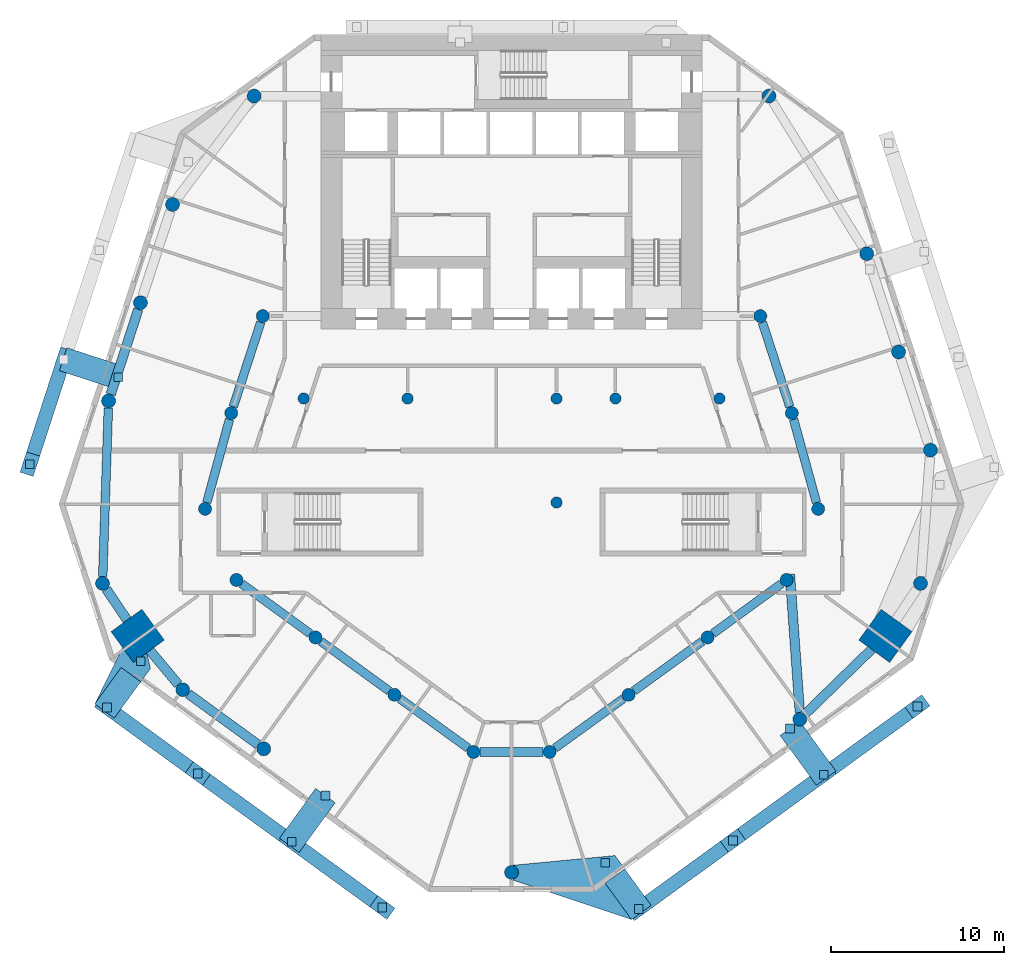
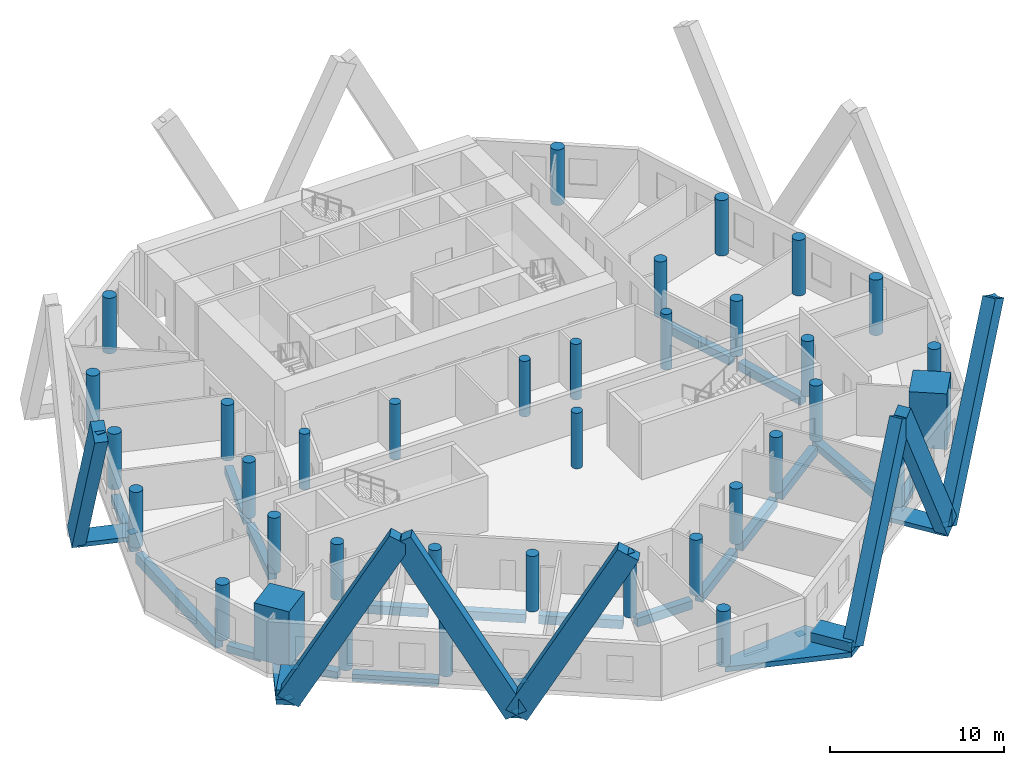
# One storey, part 1 of 10: 36 columns, 18 beams, 14 discrete accessories, 14 members.
"""IFC4 building model written with IfcOpenShell, lengths in metres."""

import ifcopenshell
import ifcopenshell.guid

model = None  # the IFC model being written
_history = None  # IfcOwnerHistory: only IFC2X3 demands one
_inside = {}  # id of a spatial element -> (the spatial element, [elements in it])
_under = {}  # id of a project, library or spatial element -> (it, [spatial elements below it])
_declared = {}  # id of a project -> (the project, [libraries it declares])
_typed = {}  # id of a type object -> (the type object, [elements of that type])
_made_of = {}  # id of a material, layer set ... -> (it, [elements and type objects made of it])


def new_model(schema):
    """Start an empty IFC model of exactly this schema.

    Asked for "IFC4X3", IfcOpenShell would pick the latest addendum, in which some entities
    have other attributes; the version numbers below select the first issue.
    IFC2X3 requires an IfcOwnerHistory on every rooted entity: one is made here for all.
    """
    global model, _history
    if schema == "IFC4X3":
        model = ifcopenshell.file(schema_version=(4, 3, 0, 0))
    else:
        model = ifcopenshell.file(schema=schema)
    _inside.clear()
    _under.clear()
    _declared.clear()
    _typed.clear()
    _made_of.clear()
    _history = None
    if model.schema == "IFC2X3":
        org = make("IfcOrganization", Name="unknown")
        user = make(
            "IfcPersonAndOrganization",
            ThePerson=make("IfcPerson", FamilyName="unknown"),
            TheOrganization=org,
        )
        app = make(
            "IfcApplication",
            ApplicationDeveloper=org,
            Version="unknown",
            ApplicationFullName="unknown",
            ApplicationIdentifier="unknown",
        )
        _history = make(
            "IfcOwnerHistory",
            OwningUser=user,
            OwningApplication=app,
            ChangeAction="ADDED",
            CreationDate=0,
        )
    return model


def make(cls, **values):
    """One entity of the class cls with the attributes given. An attribute that is None is left unset."""
    return model.create_entity(
        cls, **{name: value for name, value in values.items() if value is not None}
    )


def rooted(cls, **values):
    """An entity with a GlobalId (a new one), such as an element, a storey or a relation."""
    return make(cls, GlobalId=ifcopenshell.guid.new(), OwnerHistory=_history, **values)


def si_unit(unit_type, name, prefix=None):
    """IfcSIUnit, for example si_unit("LENGTHUNIT", "METRE", prefix="MILLI")."""
    return make("IfcSIUnit", UnitType=unit_type, Prefix=prefix, Name=name)


def assignment(units):
    """IfcUnitAssignment: the units of a project."""
    return None if units is None else make("IfcUnitAssignment", Units=units)


def point(xyz):
    """IfcCartesianPoint."""
    return None if xyz is None else make("IfcCartesianPoint", Coordinates=xyz)


def direction(xyz):
    """IfcDirection."""
    return None if xyz is None else make("IfcDirection", DirectionRatios=xyz)


def frame(location, z_axis=None, x_axis=None):
    """IfcAxis2Placement3D, a coordinate frame: its origin and axes. An axis left out is left unset."""
    return make(
        "IfcAxis2Placement3D",
        Location=point(location),
        Axis=direction(z_axis),
        RefDirection=direction(x_axis),
    )


def frame_2d(location, x_axis=None):
    """IfcAxis2Placement2D, a coordinate frame in the plane: its origin and x axis."""
    return make(
        "IfcAxis2Placement2D", Location=point(location), RefDirection=direction(x_axis)
    )


def origin():
    """The frame at (0, 0, 0) with its axes left unset."""
    return frame((0.0, 0.0, 0.0))


def origin_2d():
    """The frame at (0, 0) in the plane with its x axis left unset."""
    return frame_2d((0.0, 0.0))


def place(relative_to, where):
    """IfcLocalPlacement: puts the frame where relative to a parent placement (None: the world)."""
    return make(
        "IfcLocalPlacement", PlacementRelTo=relative_to, RelativePlacement=where
    )


def context(
    kind, dimensions, precision=None, world=None, true_north=None, identifier=None
):
    """IfcGeometricRepresentationContext, for example the 3D "Model" context."""
    return make(
        "IfcGeometricRepresentationContext",
        ContextIdentifier=identifier,
        ContextType=kind,
        CoordinateSpaceDimension=dimensions,
        Precision=precision,
        WorldCoordinateSystem=world,
        TrueNorth=true_north,
    )


def subcontext(parent, identifier, kind, view, scale=None):
    """IfcGeometricRepresentationSubContext, for example "Body" below "Model"."""
    return make(
        "IfcGeometricRepresentationSubContext",
        ContextIdentifier=identifier,
        ContextType=kind,
        ParentContext=parent,
        TargetScale=scale,
        TargetView=view,
    )


def project(units=None, contexts=None):
    """IfcProject with its units and contexts."""
    return rooted(
        "IfcProject",
        Name="project",
        RepresentationContexts=contexts,
        UnitsInContext=assignment(units),
    )


def spatial(cls, under=None, at=None, **own):
    """A site, building, storey or space (cls), placed at a placement, below another one or the project."""
    s = rooted(cls, ObjectPlacement=at, **own)
    if under is not None:
        _under.setdefault(under.id(), (under, []))[1].append(s)
    return s


def polyline(points):
    """IfcPolyline through the points."""
    return make("IfcPolyline", Points=[point(p) for p in points])


def profile(cls, at=None, kind="AREA", **sizes):
    """A parametric profile (cls). Its sizes go by their IFC names, for example OverallWidth=200.0."""
    return make(cls, ProfileType=kind, Position=at, **sizes)


def rectangle(**sizes):
    """IfcRectangleProfileDef."""
    return profile("IfcRectangleProfileDef", **sizes)


def circle(**sizes):
    """IfcCircleProfileDef."""
    return profile("IfcCircleProfileDef", **sizes)


def outline(outer, holes=None, kind="AREA"):
    """IfcArbitraryClosedProfileDef: a profile drawn as a closed curve; with holes, ...WithVoids."""
    if holes is None:
        return make("IfcArbitraryClosedProfileDef", ProfileType=kind, OuterCurve=outer)
    return make(
        "IfcArbitraryProfileDefWithVoids",
        ProfileType=kind,
        OuterCurve=outer,
        InnerCurves=holes,
    )


def extrude(swept, where, along, depth):
    """IfcExtrudedAreaSolid: the profile swept, set in the frame where, extruded along a direction by depth."""
    return make(
        "IfcExtrudedAreaSolid",
        SweptArea=swept,
        Position=where,
        ExtrudedDirection=direction(along),
        Depth=depth,
    )


def shape(context_of_items, identifier, shape_type, items):
    """IfcShapeRepresentation: the items that make up one representation, for example the "Body"."""
    return make(
        "IfcShapeRepresentation",
        ContextOfItems=context_of_items,
        RepresentationIdentifier=identifier,
        RepresentationType=shape_type,
        Items=items,
    )


def material(Name=None, Category=None):
    """IfcMaterial."""
    return make("IfcMaterial", Name=Name, Category=Category)


def layer(
    of_material, thickness, ventilated=None, Name=None, Category=None, Priority=None
):
    """IfcMaterialLayer: one layer of a wall or slab, of a material (None: an air gap)."""
    return make(
        "IfcMaterialLayer",
        Material=of_material,
        LayerThickness=thickness,
        IsVentilated=ventilated,
        Name=Name,
        Category=Category,
        Priority=Priority,
    )


def layer_set(layers, Name=None):
    """IfcMaterialLayerSet."""
    return make("IfcMaterialLayerSet", MaterialLayers=layers, LayerSetName=Name)


def material_profile(
    of_material, cross_section, Name=None, Category=None, Priority=None
):
    """IfcMaterialProfile: a cross section and its material."""
    return make(
        "IfcMaterialProfile",
        Name=Name,
        Material=of_material,
        Profile=cross_section,
        Priority=Priority,
        Category=Category,
    )


def profile_set(profiles, Name=None, composite=None):
    """IfcMaterialProfileSet."""
    return make(
        "IfcMaterialProfileSet",
        Name=Name,
        MaterialProfiles=profiles,
        CompositeProfile=composite,
    )


def made_of(thing, what):
    """Note that an element or type object is made of a material, layer set ...; save() writes the relation."""
    if what is not None:
        _made_of.setdefault(what.id(), (what, []))[1].append(thing)
    return thing


def type_object(cls, material=None, **own):
    """A type object (cls), such as IfcWallType, which elements share."""
    return made_of(rooted(cls, **own), material)


def element(
    cls,
    number,
    at=None,
    inside=None,
    cuts=None,
    type_object=None,
    material=None,
    context=None,
    identifier="Body",
    shape_type=None,
    held_by="IfcProductDefinitionShape",
    body=None,
    shapes=None,
    **own,
):
    """One element of the class cls, such as IfcWall. Its Tag is "e" and its number.

    at: its placement. inside: the storey or other place that contains it. cuts: it is an
    opening in that element (IfcRelVoidsElement). A single representation is given by context,
    identifier, shape_type and body (its items); several are given by shapes. held_by: the class
    of the entity that holds the representations. save() writes the other relations.
    """
    e = rooted(cls, Tag="e%d" % number, ObjectPlacement=at, **own)
    if body is not None:
        shapes = [shape(context, identifier, shape_type, body)]
    if shapes is not None:
        e.Representation = make(held_by, Representations=shapes)
    if inside is not None:
        _inside.setdefault(inside.id(), (inside, []))[1].append(e)
    if cuts is not None:
        rooted(
            "IfcRelVoidsElement", RelatingBuildingElement=cuts, RelatedOpeningElement=e
        )
    if type_object is not None:
        _typed.setdefault(type_object.id(), (type_object, []))[1].append(e)
    return made_of(e, material)


def aggregate(whole, parts):
    """IfcRelAggregates: a whole, such as a stair, and the parts it consists of."""
    return rooted("IfcRelAggregates", RelatingObject=whole, RelatedObjects=parts)


def save(model, path):
    """Write the relations noted so far, then the file.

    IfcRelAggregates (storeys below a building ...), IfcRelContainedInSpatialStructure (elements
    in a storey), IfcRelDefinesByType, IfcRelAssociatesMaterial and IfcRelDeclares: one each for
    every whole, place, type object, material and project.
    """
    for whole, parts in _under.values():
        aggregate(whole, parts)
    for where, things in _inside.values():
        rooted(
            "IfcRelContainedInSpatialStructure",
            RelatedElements=things,
            RelatingStructure=where,
        )
    for kind, things in _typed.values():
        rooted("IfcRelDefinesByType", RelatedObjects=things, RelatingType=kind)
    for what, things in _made_of.values():
        rooted("IfcRelAssociatesMaterial", RelatedObjects=things, RelatingMaterial=what)
    for by, libraries in _declared.values():
        rooted("IfcRelDeclares", RelatingContext=by, RelatedDefinitions=libraries)
    model.write(path)


model = new_model("IFC4")

# Units and contexts
model_context = context("Model", 3, precision=1e-05, world=origin(), true_north=direction((0.0, 1.0)))
body_context = subcontext(model_context, "Body", "Model", "MODEL_VIEW")
ifc_project = project(units=[si_unit("LENGTHUNIT", "METRE"), si_unit("AREAUNIT", "SQUARE_METRE"), si_unit("VOLUMEUNIT", "CUBIC_METRE"), si_unit("PLANEANGLEUNIT", "RADIAN"), si_unit("MASSUNIT", "GRAM", prefix="KILO")], contexts=[model_context])

# Site, building, storey
site_placement = place(None, origin())
site = spatial("IfcSite", under=ifc_project, at=site_placement, CompositionType="ELEMENT")
building_placement = place(site_placement, origin())
building = spatial("IfcBuilding", under=site, at=building_placement, Name="White Candle Pilgrim Tower", CompositionType="ELEMENT")
storey_placement = place(building_placement, frame((0.0, 0.0, 66.300048828125)))
storey = spatial("IfcBuildingStorey", under=building, at=storey_placement, Name="L13", CompositionType="ELEMENT", Elevation=66.300048828125)

# Columns
ifc_material_1 = material(Name="Concrete C80/95", Category="concrete")
ifc_material_profile_1 = material_profile(ifc_material_1, circle(Radius=0.324951171875, at=origin_2d()), Name="RC-COL D650")
ifc_profile_set_1 = profile_set([ifc_material_profile_1], Name="Concrete C80/95")
column_type_1 = type_object("IfcColumnType", Name="Interior column RC-COL D650 C80/95", PredefinedType="COLUMN", material=ifc_profile_set_1)
for number, where, z_axis, x_axis, name in (
    (1, (58.0, 67.0, 0.0), (0.0, 0.0, 1.0), (1.0, 0.0, 0.0), "L13 column I01"),
    (2, (64.0, 67.0, 0.0), (0.0, 0.0, 1.0), (1.0, 0.0, 0.0), "L13 column I02"),
    (3, (72.60009765625, 61.0, 0.0), (0.0, 0.0, 1.0), (1.0, 0.0, 0.0), "L13 column I03"),
    (4, (72.60009765625, 67.0, 0.0), (0.0, 0.0, 1.0), (1.0, 0.0, 0.0), "L13 column I04"),
    (5, (76.0, 67.0, 0.0), (0.0, 0.0, 1.0), (1.0, 0.0, 0.0), "L13 column I05"),
    (6, (82.0, 67.0, 0.0), (0.0, 0.0, 1.0), (1.0, 0.0, 0.0), "L13 column I06"),
):
    element("IfcColumn", number, at=place(storey_placement, frame(where, z_axis=z_axis, x_axis=x_axis)), inside=storey, type_object=column_type_1, Name=name, PredefinedType="COLUMN", context=body_context, shape_type="SweptSolid", body=[
        extrude(circle(Radius=0.324951171875, at=origin_2d()), origin(), (0.0, 0.0, 1.0), 3.89990234375),
    ])
ifc_material_profile_2 = material_profile(ifc_material_1, rectangle(XDim=2.199951171875, YDim=2.199951171875, at=origin_2d()), Name="RC 2200x2200")
ifc_profile_set_2 = profile_set([ifc_material_profile_2], Name="Concrete C80/95")
column_type_2 = type_object("IfcColumnType", Name="Mega column RC 2200x2200 C80/95", PredefinedType="COLUMN", material=ifc_profile_set_2)
for number, where, z_axis, x_axis, name in (
    (7, (48.419921875, 53.300048828125, 0.0), (0.0, 0.0, 1.0), (-0.809016994375, -0.587785252292, 0.0), "L13 mega column T02"),
    (8, (91.580078125, 53.300048828125, 0.0), (0.0, 0.0, 1.0), (0.809016994375, -0.587785252292, 0.0), "L13 mega column T07"),
):
    element("IfcColumn", number, at=place(storey_placement, frame(where, z_axis=z_axis, x_axis=x_axis)), inside=storey, type_object=column_type_2, Name=name, PredefinedType="COLUMN", context=body_context, shape_type="SweptSolid", body=[
        extrude(rectangle(XDim=2.199951171875, YDim=2.199951171875, at=origin_2d()), origin(), (0.0, 0.0, 1.0), 3.89990234375),
    ])
ifc_material_profile_3 = material_profile(ifc_material_1, circle(Radius=0.39990234375, at=origin_2d()), Name="RC-COL D800")
ifc_profile_set_3 = profile_set([ifc_material_profile_3], Name="Concrete C80/95")
column_type_3 = type_object("IfcColumnType", Name="Perimeter column RC-COL D800 C80/95", PredefinedType="COLUMN", material=ifc_profile_set_3)
for number, where, z_axis, x_axis, name in (
    (9, (46.389892578125, 56.330078125, 0.0), (0.0, 0.0, 1.0), (1.0, 0.0, 0.0), "L13 column T01"),
    (10, (51.02001953125, 50.18994140625, 0.0), (0.0, 0.0, 1.0), (1.0, 0.0, 0.0), "L13 column T03"),
    (11, (55.699951171875, 46.780029296875, 0.0), (0.0, 0.0, 1.0), (1.0, 0.0, 0.0), "L13 column T04"),
    (12, (70.0, 39.64990234375, 0.0), (0.0, 0.0, 1.0), (1.0, 0.0, 0.0), "L13 column T05"),
    (13, (86.639892578125, 48.489990234375, 0.0), (0.0, 0.0, 1.0), (1.0, 0.0, 0.0), "L13 column T06"),
    (14, (93.610107421875, 56.330078125, 0.0), (0.0, 0.0, 1.0), (1.0, 0.0, 0.0), "L13 column T08"),
    (15, (94.179931640625, 64.02001953125, 0.0), (0.0, 0.0, 1.0), (1.0, 0.0, 0.0), "L13 column T09"),
    (16, (92.340087890625, 69.68994140625, 0.0), (0.0, 0.0, 1.0), (1.0, 0.0, 0.0), "L13 column T10"),
    (17, (90.5, 75.360107421875, 0.0), (0.0, 0.0, 1.0), (1.0, 0.0, 0.0), "L13 column T11"),
    (18, (84.860107421875, 84.4599609375, 0.0), (0.0, 0.0, 1.0), (1.0, 0.0, 0.0), "L13 column T12"),
    (19, (55.139892578125, 84.4599609375, 0.0), (0.0, 0.0, 1.0), (1.0, 0.0, 0.0), "L13 column T13"),
    (20, (50.429931640625, 78.199951171875, 0.0), (0.0, 0.0, 1.0), (1.0, 0.0, 0.0), "L13 column T14"),
    (21, (48.580078125, 72.530029296875, 0.0), (0.0, 0.0, 1.0), (1.0, 0.0, 0.0), "L13 column T15"),
    (22, (46.739990234375, 66.860107421875, 0.0), (0.0, 0.0, 1.0), (1.0, 0.0, 0.0), "L13 column T16"),
):
    element("IfcColumn", number, at=place(storey_placement, frame(where, z_axis=z_axis, x_axis=x_axis)), inside=storey, type_object=column_type_3, Name=name, PredefinedType="COLUMN", context=body_context, shape_type="SweptSolid", body=[
        extrude(circle(Radius=0.39990234375, at=origin_2d()), origin(), (0.0, 0.0, 1.0), 3.89990234375),
    ])
ifc_material_profile_4 = material_profile(ifc_material_1, circle(Radius=0.375, at=origin_2d()), Name="RC-COL D750")
ifc_profile_set_4 = profile_set([ifc_material_profile_4], Name="Concrete C80/95")
column_type_4 = type_object("IfcColumnType", Name="Ring column RC-COL D750 C80/95", PredefinedType="COLUMN", material=ifc_profile_set_4)
for number, where, z_axis, x_axis, name in (
    (23, (52.31005859375, 60.6298828125, 0.0), (0.0, 0.0, 1.0), (1.0, 0.0, 0.0), "L13 column R01"),
    (24, (54.1201171875, 56.530029296875, 0.0), (0.0, 0.0, 1.0), (1.0, 0.0, 0.0), "L13 column R02"),
    (25, (58.679931640625, 53.2099609375, 0.0), (0.0, 0.0, 1.0), (1.0, 0.0, 0.0), "L13 column R03"),
    (26, (63.239990234375, 49.89990234375, 0.0), (0.0, 0.0, 1.0), (1.0, 0.0, 0.0), "L13 column R04"),
    (27, (67.800048828125, 46.60009765625, 0.0), (0.0, 0.0, 1.0), (1.0, 0.0, 0.0), "L13 column R05"),
    (28, (72.199951171875, 46.60009765625, 0.0), (0.0, 0.0, 1.0), (1.0, 0.0, 0.0), "L13 column R06"),
    (29, (76.760009765625, 49.89990234375, 0.0), (0.0, 0.0, 1.0), (1.0, 0.0, 0.0), "L13 column R07"),
    (30, (81.320068359375, 53.2099609375, 0.0), (0.0, 0.0, 1.0), (1.0, 0.0, 0.0), "L13 column R08"),
    (31, (85.8798828125, 56.530029296875, 0.0), (0.0, 0.0, 1.0), (1.0, 0.0, 0.0), "L13 column R09"),
    (32, (87.699951171875, 60.6298828125, 0.0), (0.0, 0.0, 1.0), (1.0, 0.0, 0.0), "L13 column R10"),
    (33, (86.179931640625, 66.159912109375, 0.0), (0.0, 0.0, 1.0), (1.0, 0.0, 0.0), "L13 column R11"),
    (34, (84.360107421875, 71.760009765625, 0.0), (0.0, 0.0, 1.0), (1.0, 0.0, 0.0), "L13 column R12"),
    (35, (55.639892578125, 71.760009765625, 0.0), (0.0, 0.0, 1.0), (1.0, 0.0, 0.0), "L13 column R13"),
    (36, (53.820068359375, 66.159912109375, 0.0), (0.0, 0.0, 1.0), (1.0, 0.0, 0.0), "L13 column R14"),
):
    element("IfcColumn", number, at=place(storey_placement, frame(where, z_axis=z_axis, x_axis=x_axis)), inside=storey, type_object=column_type_4, Name=name, PredefinedType="COLUMN", context=body_context, shape_type="SweptSolid", body=[
        extrude(circle(Radius=0.375, at=origin_2d()), origin(), (0.0, 0.0, 1.0), 3.89990234375),
    ])

# Member
ifc_material_2 = material(Name="Concrete C80/95, white", Category="concrete")
ifc_material_profile_5 = material_profile(ifc_material_2, rectangle(XDim=0.800048828125, YDim=1.39990234375, at=origin_2d()), Name="RC-DG 800x1400")
ifc_profile_set_5 = profile_set([ifc_material_profile_5], Name="Concrete C80/95, white")
member_type_1 = type_object("IfcMemberType", Name="Exoskeleton diagonal RC-DG 800x1400 C80/95", PredefinedType="BRACE", material=ifc_profile_set_5)
member_1_placement = place(storey_placement, frame((77.345947265625, 37.537109375, 0.0), z_axis=(0.402917149232, 0.292737847051, 0.867157611832), x_axis=(-0.587787095923, 0.809015654896, 0.0)))
member_1 = element("IfcMember", 37, at=member_1_placement, inside=storey, type_object=member_type_1, Name="Exoskeleton diagonal EX031", PredefinedType="BRACE", context=body_context, shape_type="SweptSolid", body=[
    extrude(rectangle(XDim=0.800048828125, YDim=1.39990234375, at=origin_2d()), origin(), (0.0, 0.0, 1.0), 13.4921875),
])

member_2_placement = place(storey_placement, frame((88.014404296875, 45.2880859375, 0.0), z_axis=(-0.391383910514, -0.28434732335, 0.875194398002), x_axis=(0.587772084944, -0.80902656085, 0.0)))
member_2 = element("IfcMember", 38, at=member_2_placement, inside=storey, type_object=member_type_1, Name="Exoskeleton diagonal EX032", PredefinedType="BRACE", context=body_context, shape_type="SweptSolid", body=[
    extrude(rectangle(XDim=0.800048828125, YDim=1.39990234375, at=origin_2d()), origin(), (0.0, 0.0, 1.0), 13.368408203125),
])

member_3_placement = place(storey_placement, frame((88.014404296875, 45.2880859375, 0.0), z_axis=(0.401687761843, 0.291869801792, 0.868020138469), x_axis=(-0.587820262058, 0.808991557134, 0.0)))
member_3 = element("IfcMember", 39, at=member_3_placement, inside=storey, type_object=member_type_1, Name="Exoskeleton diagonal EX033", PredefinedType="BRACE", context=body_context, shape_type="SweptSolid", body=[
    extrude(rectangle(XDim=0.800048828125, YDim=1.39990234375, at=origin_2d()), origin(), (0.0, 0.0, 1.0), 13.47900390625),
])

member_4_placement = place(storey_placement, frame((46.651611328125, 49.163818359375, 0.0), z_axis=(0.391996853162, -0.284811497085, 0.874769042799), x_axis=(0.587797561123, 0.809008051343, 0.0)))
member_4 = element("IfcMember", 40, at=member_4_placement, inside=storey, type_object=member_type_1, Name="Exoskeleton diagonal EX043", PredefinedType="BRACE", context=body_context, shape_type="SweptSolid", body=[
    extrude(rectangle(XDim=0.800048828125, YDim=1.39990234375, at=origin_2d()), origin(), (0.0, 0.0, 1.0), 13.375),
])

member_5_placement = place(storey_placement, frame((57.31982421875, 41.41259765625, 0.0), z_axis=(-0.4023029124, 0.292304150104, 0.867588987082), x_axis=(-0.58780364578, -0.809003630405, 0.0)))
member_5 = element("IfcMember", 41, at=member_5_placement, inside=storey, type_object=member_type_1, Name="Exoskeleton diagonal EX044", PredefinedType="BRACE", context=body_context, shape_type="SweptSolid", body=[
    extrude(rectangle(XDim=0.800048828125, YDim=1.39990234375, at=origin_2d()), origin(), (0.0, 0.0, 1.0), 13.485595703125),
])

member_6_placement = place(storey_placement, frame((57.31982421875, 41.41259765625, 0.0), z_axis=(0.390752560965, -0.28390130423, 0.875621199809), x_axis=(0.587789250847, 0.80901408924, 0.0)))
member_6 = element("IfcMember", 42, at=member_6_placement, inside=storey, type_object=member_type_1, Name="Exoskeleton diagonal EX045", PredefinedType="BRACE", context=body_context, shape_type="SweptSolid", body=[
    extrude(rectangle(XDim=0.800048828125, YDim=1.39990234375, at=origin_2d()), origin(), (0.0, 0.0, 1.0), 13.36181640625),
])

member_7_placement = place(storey_placement, frame((44.161376953125, 69.25390625, 0.0), z_axis=(-0.147484543042, -0.453895921164, 0.878764361086), x_axis=(0.95105354921, -0.309026125976, 0.0)))
member_7 = element("IfcMember", 43, at=member_7_placement, inside=storey, type_object=member_type_1, Name="Exoskeleton diagonal EX057", PredefinedType="BRACE", context=body_context, shape_type="SweptSolid", body=[
    extrude(rectangle(XDim=0.800048828125, YDim=1.39990234375, at=origin_2d()), origin(), (0.0, 0.0, 1.0), 13.314208984375),
])

ifc_material_3 = material(Name="Concrete C70/85, white", Category="concrete")
ifc_layer_1 = layer(ifc_material_3, 0.300048828125)
ifc_layer_set_1 = layer_set([ifc_layer_1], Name="Node tie strut 3350x1400x300 C70/85")
member_type_2 = type_object("IfcMemberType", Name="Node tie strut 3350x1400x300 C70/85", PredefinedType="STRUT", material=ifc_layer_set_1)
member_8_placement = place(storey_placement, frame((45.706787109375, 68.751708984375, -0.30029296875), z_axis=(0.0, 0.0, 1.0), x_axis=(-0.309016994375, -0.951056516295, 0.0)))
member_8 = element("IfcMember", 44, at=member_8_placement, inside=storey, type_object=member_type_2, Name="Node tie strut NC030", PredefinedType="STRUT", context=body_context, shape_type="SweptSolid", body=[
    extrude(rectangle(XDim=1.39990234375, YDim=3.35009765625, at=origin_2d()), origin(), (0.0, 0.0, 1.0), 0.300048828125),
])

ifc_layer_2 = layer(ifc_material_3, 0.300048828125)
ifc_layer_set_2 = layer_set([ifc_layer_2], Name="Node tie strut 3550x1400x300 C70/85")
member_type_3 = type_object("IfcMemberType", Name="Node tie strut 3550x1400x300 C70/85", PredefinedType="STRUT", material=ifc_layer_set_2)
member_9_placement = place(storey_placement, frame((0.0, 0.0, -0.35009765625)))
member_9 = element("IfcMember", 45, at=member_9_placement, inside=storey, type_object=member_type_3, Name="Node tie strut NC025", PredefinedType="STRUT", context=body_context, shape_type="SweptSolid", body=[
    extrude(outline(polyline([(76.926513671875, 36.923583984375), (78.05908203125, 37.746337890625), (75.97265625, 40.618408203125), (69.973876953125, 40.049072265625), (70.0, 40.050048828125), (70.026123046875, 40.049072265625), (70.05224609375, 40.046630859375), (70.077880859375, 40.042236328125), (70.103515625, 40.036376953125), (70.128662109375, 40.02880859375), (70.153076171875, 40.01953125), (70.177001953125, 40.0087890625), (70.199951171875, 39.996337890625), (70.22216796875, 39.982666015625), (70.243408203125, 39.96728515625), (70.263671875, 39.95068359375), (70.28271484375, 39.932861328125), (70.30078125, 39.913818359375), (70.3173828125, 39.8935546875), (70.33251953125, 39.872314453125), (70.346435546875, 39.85009765625), (70.358642578125, 39.826904296875), (70.36962890625, 39.802978515625), (70.37890625, 39.778564453125), (70.386474609375, 39.75341796875), (70.392333984375, 39.72802734375), (70.396484375, 39.7021484375), (70.399169921875, 39.67626953125), (70.39990234375, 39.64990234375), (70.399169921875, 39.623779296875), (70.396484375, 39.597900390625), (70.392333984375, 39.572021484375), (70.386474609375, 39.54638671875), (70.37890625, 39.521484375), (70.36962890625, 39.496826171875), (70.358642578125, 39.47314453125), (70.346435546875, 39.449951171875), (70.33251953125, 39.427734375), (70.3173828125, 39.406494140625), (70.30078125, 39.38623046875), (70.28271484375, 39.3671875), (70.263671875, 39.349365234375), (70.243408203125, 39.332763671875), (70.22216796875, 39.3173828125), (70.199951171875, 39.3037109375), (70.177001953125, 39.291259765625), (70.153076171875, 39.280517578125), (70.128662109375, 39.271240234375), (70.103515625, 39.263671875), (70.077880859375, 39.2578125), (70.05224609375, 39.25341796875), (70.026123046875, 39.2509765625), (70.0, 39.25), (69.973876953125, 39.2509765625), (69.94775390625, 39.25341796875), (69.922119140625, 39.2578125), (69.896484375, 39.263671875), (69.871337890625, 39.271240234375), (76.926513671875, 36.923583984375)])), origin(), (0.0, 0.0, 1.0), 0.35009765625),
])

member_10_placement = place(storey_placement, origin())
element("IfcMember", 46, at=member_10_placement, inside=storey, type_object=member_type_3, Name="Node tie strut NC025", PredefinedType="STRUT", context=body_context, shape_type="SweptSolid", body=[
    extrude(outline(polyline([(76.926513671875, 36.923583984375), (78.05908203125, 37.746337890625), (76.531005859375, 39.849853515625), (75.3984375, 39.027099609375), (76.926513671875, 36.923583984375)])), origin(), (0.0, 0.0, 1.0), 0.64990234375),
])

member_11_placement = place(storey_placement, frame((87.117919921875, 46.52197265625, -0.30029296875), z_axis=(0.0, 0.0, 1.0), x_axis=(0.809016994375, 0.587785252292, 0.0)))
member_11 = element("IfcMember", 47, at=member_11_placement, inside=storey, type_object=member_type_3, Name="Node tie strut NC026", PredefinedType="STRUT", context=body_context, shape_type="SweptSolid", body=[
    extrude(rectangle(XDim=1.39990234375, YDim=3.550048828125, at=origin_2d()), origin(), (0.0, 0.0, 1.0), 0.300048828125),
])

member_12_placement = place(storey_placement, frame((0.0, 0.0, -0.35009765625)))
member_12 = element("IfcMember", 48, at=member_12_placement, inside=storey, type_object=member_type_3, Name="Node tie strut NC027", PredefinedType="STRUT", context=body_context, shape_type="SweptSolid", body=[
    extrude(outline(polyline([(47.07080078125, 48.550048828125), (49.157470703125, 51.422119140625), (48.9423828125, 52.31982421875), (48.176513671875, 51.763427734375), (47.555908203125, 52.617919921875), (45.938232421875, 49.372802734375), (47.07080078125, 48.550048828125)])), origin(), (0.0, 0.0, 1.0), 0.35009765625),
])

member_13_placement = place(storey_placement, origin())
element("IfcMember", 49, at=member_13_placement, inside=storey, type_object=member_type_3, Name="Node tie strut NC027", PredefinedType="STRUT", context=body_context, shape_type="SweptSolid", body=[
    extrude(outline(polyline([(47.07080078125, 48.550048828125), (48.59912109375, 50.653564453125), (47.466552734375, 51.476318359375), (45.938232421875, 49.372802734375), (47.07080078125, 48.550048828125)])), origin(), (0.0, 0.0, 1.0), 0.64990234375),
])

member_14_placement = place(storey_placement, frame((58.21630859375, 42.646484375, -0.30029296875), z_axis=(0.0, 0.0, 1.0), x_axis=(0.809016994375, -0.587785252292, 0.0)))
member_14 = element("IfcMember", 50, at=member_14_placement, inside=storey, type_object=member_type_3, Name="Node tie strut NC028", PredefinedType="STRUT", context=body_context, shape_type="SweptSolid", body=[
    extrude(rectangle(XDim=1.39990234375, YDim=3.550048828125, at=origin_2d()), origin(), (0.0, 0.0, 1.0), 0.300048828125),
])

# Beams
ifc_material_4 = material(Name="Concrete C50/60", Category="concrete")
ifc_material_profile_6 = material_profile(ifc_material_4, rectangle(XDim=0.5, YDim=0.60009765625, at=origin_2d()), Name="RC-BM 500x600")
ifc_profile_set_6 = profile_set([ifc_material_profile_6], Name="Concrete C50/60")
beam_type_1 = type_object("IfcBeamType", Name="Ring beam RC-BM 500x600 C50/60", PredefinedType="BEAM", material=ifc_profile_set_6)
beam_1_placement = place(storey_placement, frame((54.423095703125, 56.309326171875, -0.60009765625), z_axis=(0.808431607518, -0.58859012561, 0.0), x_axis=(0.58859012561, 0.808431607518, 0.0)))
element("IfcBeam", 51, at=beam_1_placement, inside=storey, type_object=beam_type_1, Name="L13 ring beam R01", PredefinedType="BEAM", context=body_context, shape_type="SweptSolid", body=[
    extrude(rectangle(XDim=0.5, YDim=0.60009765625, at=origin_2d()), origin(), (0.0, 0.0, 1.0), 4.890869140625),
])
beam_2_placement = place(storey_placement, frame((58.9833984375, 52.98974609375, -0.60009765625), z_axis=(0.809276033964, -0.587428549572, 0.0), x_axis=(0.587428549572, 0.809276033964, 0.0)))
element("IfcBeam", 52, at=beam_2_placement, inside=storey, type_object=beam_type_1, Name="L13 ring beam R02", PredefinedType="BEAM", context=body_context, shape_type="SweptSolid", body=[
    extrude(rectangle(XDim=0.5, YDim=0.60009765625, at=origin_2d()), origin(), (0.0, 0.0, 1.0), 4.885009765625),
])
beam_3_placement = place(storey_placement, frame((63.543701171875, 49.680419921875, -0.60009765625), z_axis=(0.810079795278, -0.586319644291, 0.0), x_axis=(0.586319644291, 0.810079795278, 0.0)))
element("IfcBeam", 53, at=beam_3_placement, inside=storey, type_object=beam_type_1, Name="L13 ring beam R03", PredefinedType="BEAM", context=body_context, shape_type="SweptSolid", body=[
    extrude(rectangle(XDim=0.5, YDim=0.60009765625, at=origin_2d()), origin(), (0.0, 0.0, 1.0), 4.87939453125),
])
beam_4_placement = place(storey_placement, frame((68.175048828125, 46.60009765625, -0.60009765625), z_axis=(1.0, 0.0, 0.0), x_axis=(0.0, 1.0, 0.0)))
element("IfcBeam", 54, at=beam_4_placement, inside=storey, type_object=beam_type_1, Name="L13 ring beam R04", PredefinedType="BEAM", context=body_context, shape_type="SweptSolid", body=[
    extrude(rectangle(XDim=0.5, YDim=0.60009765625, at=origin_2d()), origin(), (0.0, 0.0, 1.0), 3.64990234375),
])
beam_5_placement = place(storey_placement, frame((72.503662109375, 46.819580078125, -0.60009765625), z_axis=(0.810079795278, 0.586319644291, 0.0), x_axis=(-0.586319644291, 0.810079795278, 0.0)))
element("IfcBeam", 55, at=beam_5_placement, inside=storey, type_object=beam_type_1, Name="L13 ring beam R05", PredefinedType="BEAM", context=body_context, shape_type="SweptSolid", body=[
    extrude(rectangle(XDim=0.5, YDim=0.60009765625, at=origin_2d()), origin(), (0.0, 0.0, 1.0), 4.87939453125),
])
beam_6_placement = place(storey_placement, frame((77.063232421875, 50.1201171875, -0.60009765625), z_axis=(0.809276033964, 0.587428549572, 0.0), x_axis=(-0.587428549572, 0.809276033964, 0.0)))
element("IfcBeam", 56, at=beam_6_placement, inside=storey, type_object=beam_type_1, Name="L13 ring beam R06", PredefinedType="BEAM", context=body_context, shape_type="SweptSolid", body=[
    extrude(rectangle(XDim=0.5, YDim=0.60009765625, at=origin_2d()), origin(), (0.0, 0.0, 1.0), 4.885009765625),
])
beam_7_placement = place(storey_placement, frame((81.623046875, 53.4306640625, -0.60009765625), z_axis=(0.808431607518, 0.58859012561, 0.0), x_axis=(-0.58859012561, 0.808431607518, 0.0)))
element("IfcBeam", 57, at=beam_7_placement, inside=storey, type_object=beam_type_1, Name="L13 ring beam R07", PredefinedType="BEAM", context=body_context, shape_type="SweptSolid", body=[
    extrude(rectangle(XDim=0.5, YDim=0.60009765625, at=origin_2d()), origin(), (0.0, 0.0, 1.0), 4.890869140625),
])
beam_8_placement = place(storey_placement, frame((87.6005859375, 60.991455078125, -0.60009765625), z_axis=(-0.265031278819, 0.964239815216, 0.0), x_axis=(-0.964239815216, -0.265031278819, 0.0)))
element("IfcBeam", 58, at=beam_8_placement, inside=storey, type_object=beam_type_1, Name="L13 ring beam R08", PredefinedType="BEAM", context=body_context, shape_type="SweptSolid", body=[
    extrude(rectangle(XDim=0.5, YDim=0.60009765625, at=origin_2d()), origin(), (0.0, 0.0, 1.0), 4.9853515625),
])
for number, where, z_axis, x_axis, name in (
    (59, (86.064208984375, 66.5166015625, -0.60009765625), (-0.309106483996, 0.9510274347, 0.0), (-0.9510274347, -0.309106483996, 0.0), "L13 ring beam R09"),
    (60, (55.524169921875, 71.403564453125, -0.60009765625), (-0.309106483996, -0.9510274347, 0.0), (0.9510274347, -0.309106483996, 0.0), "L13 ring beam R12"),
):
    element("IfcBeam", number, at=place(storey_placement, frame(where, z_axis=z_axis, x_axis=x_axis)), inside=storey, type_object=beam_type_1, Name=name, PredefinedType="BEAM", context=body_context, shape_type="SweptSolid", body=[
        extrude(rectangle(XDim=0.5, YDim=0.60009765625, at=origin_2d()), origin(), (0.0, 0.0, 1.0), 5.138671875),
    ])
beam_9_placement = place(storey_placement, frame((53.72119140625, 65.79833984375, -0.60009765625), z_axis=(-0.263415907103, -0.964682362172, 0.0), x_axis=(0.964682362172, -0.263415907103, 0.0)))
element("IfcBeam", 61, at=beam_9_placement, inside=storey, type_object=beam_type_1, Name="L13 ring beam R13", PredefinedType="BEAM", context=body_context, shape_type="SweptSolid", body=[
    extrude(rectangle(XDim=0.5, YDim=0.60009765625, at=origin_2d()), origin(), (0.0, 0.0, 1.0), 4.982666015625),
])
ifc_material_profile_7 = material_profile(ifc_material_4, rectangle(XDim=0.5, YDim=0.699951171875, at=origin_2d()), Name="RC-BM 500x700")
ifc_profile_set_7 = profile_set([ifc_material_profile_7], Name="Concrete C50/60")
beam_type_2 = type_object("IfcBeamType", Name="Spandrel beam RC-BM 500x700 C50/60", PredefinedType="BEAM", material=ifc_profile_set_7)
beam_10_placement = place(storey_placement, frame((46.726806640625, 66.46044921875, -0.650146484375), z_axis=(-0.033224659514, -0.999447908598, 0.0), x_axis=(0.999447908598, -0.033224659514, 0.0)))
element("IfcBeam", 62, at=beam_10_placement, inside=storey, type_object=beam_type_2, Name="L13 spandrel beam T16", PredefinedType="BEAM", context=body_context, shape_type="SweptSolid", body=[
    extrude(rectangle(XDim=0.5, YDim=0.699951171875, at=origin_2d()), origin(), (0.0, 0.0, 1.0), 9.736328125),
])
ifc_material_profile_8 = material_profile(ifc_material_4, rectangle(XDim=0.550048828125, YDim=0.5, at=origin_2d()), Name="RC-BM 550x500")
ifc_profile_set_8 = profile_set([ifc_material_profile_8], Name="Concrete C50/60")
beam_type_3 = type_object("IfcBeamType", Name="Spandrel beam RC-BM 550x500 C50/60", PredefinedType="BEAM", material=ifc_profile_set_8)
beam_11_placement = place(storey_placement, frame((46.612548828125, 55.997802734375, -0.550048828125), z_axis=(0.556641005169, -0.830753147069, 0.0), x_axis=(0.830753147069, 0.556641005169, 0.0)))
element("IfcBeam", 63, at=beam_11_placement, inside=storey, type_object=beam_type_3, Name="L13 spandrel beam T01", PredefinedType="BEAM", context=body_context, shape_type="SweptSolid", body=[
    extrude(rectangle(XDim=0.550048828125, YDim=0.5, at=origin_2d()), origin(), (0.0, 0.0, 1.0), 2.146484375),
])
beam_12_placement = place(storey_placement, frame((49.127197265625, 52.4541015625, -0.550048828125), z_axis=(0.641388324436, -0.767216408373, 0.0), x_axis=(0.767216408373, 0.641388324436, 0.0)))
element("IfcBeam", 64, at=beam_12_placement, inside=storey, type_object=beam_type_3, Name="L13 spandrel beam T02", PredefinedType="BEAM", context=body_context, shape_type="SweptSolid", body=[
    extrude(rectangle(XDim=0.550048828125, YDim=0.5, at=origin_2d()), origin(), (0.0, 0.0, 1.0), 2.551513671875),
])
beam_13_placement = place(storey_placement, frame((51.343017578125, 49.95458984375, -0.550048828125), z_axis=(0.808217539001, -0.588884037525, 0.0), x_axis=(0.588884037525, 0.808217539001, 0.0)))
element("IfcBeam", 65, at=beam_13_placement, inside=storey, type_object=beam_type_3, Name="L13 spandrel beam T03", PredefinedType="BEAM", context=body_context, shape_type="SweptSolid", body=[
    extrude(rectangle(XDim=0.550048828125, YDim=0.5, at=origin_2d()), origin(), (0.0, 0.0, 1.0), 4.9912109375),
])
beam_14_placement = place(storey_placement, frame((86.639892578125, 48.889892578125, -0.550048828125), z_axis=(-0.071694624988, 0.997426629255, 0.0), x_axis=(-0.997426629255, -0.071694624988, 0.0)))
element("IfcBeam", 66, at=beam_14_placement, inside=storey, type_object=beam_type_3, Name="L13 spandrel beam T04", PredefinedType="BEAM", context=body_context, shape_type="SweptSolid", body=[
    extrude(rectangle(XDim=0.550048828125, YDim=0.5, at=origin_2d()), origin(), (0.0, 0.0, 1.0), 7.9853515625),
])
beam_15_placement = place(storey_placement, frame((86.926513671875, 48.768798828125, -0.550048828125), z_axis=(0.716462232914, 0.697625880259, 0.0), x_axis=(-0.697625880259, 0.716462232914, 0.0)))
element("IfcBeam", 67, at=beam_15_placement, inside=storey, type_object=beam_type_3, Name="L13 spandrel beam T05", PredefinedType="BEAM", context=body_context, shape_type="SweptSolid", body=[
    extrude(rectangle(XDim=0.550048828125, YDim=0.5, at=origin_2d()), origin(), (0.0, 0.0, 1.0), 5.37890625),
])
beam_16_placement = place(storey_placement, frame((48.45654296875, 72.149658203125, -0.550048828125), z_axis=(-0.308682827488, -0.951165028801, 0.0), x_axis=(0.951165028801, -0.308682827488, 0.0)))
element("IfcBeam", 68, at=beam_16_placement, inside=storey, type_object=beam_type_3, Name="L13 spandrel beam T15", PredefinedType="BEAM", context=body_context, shape_type="SweptSolid", body=[
    extrude(rectangle(XDim=0.550048828125, YDim=0.5, at=origin_2d()), origin(), (0.0, 0.0, 1.0), 5.161376953125),
])

# Discrete accessory
ifc_material_5 = material(Name="Steel S355", Category="steel")
ifc_layer_3 = layer(ifc_material_5, 0.02490234375)
ifc_layer_set_3 = layer_set([ifc_layer_3], Name="Gusset plate 500x500x25 S355")
discrete_accessory_type = type_object("IfcDiscreteAccessoryType", Name="Gusset plate 500x500x25 S355", PredefinedType="BRACKET", material=ifc_layer_set_3)
discrete_accessory_1_placement = place(storey_placement, frame((77.345947265625, 37.537109375, -0.012451171875), z_axis=(0.0, 0.0, 1.0), x_axis=(1.0, 0.0, 0.0)))
discrete_accessory_1 = element("IfcDiscreteAccessory", 69, at=discrete_accessory_1_placement, type_object=discrete_accessory_type, Name="Gusset plate 0033", PredefinedType="BRACKET", context=body_context, shape_type="SweptSolid", body=[
    extrude(rectangle(XDim=0.5, YDim=0.5, at=origin_2d()), origin(), (0.0, 0.0, 1.0), 0.02490234375),
])

placement = place(building_placement, frame((0.0, 0.0, 78.0)))
discrete_accessory_2_placement = place(placement, frame((82.7822265625, 41.48681640625, -0.012451171875), z_axis=(0.0, 0.0, 1.0), x_axis=(1.0, 0.0, 0.0)))
discrete_accessory_2 = element("IfcDiscreteAccessory", 70, at=discrete_accessory_2_placement, type_object=discrete_accessory_type, Name="Gusset plate 0034", PredefinedType="BRACKET", context=body_context, shape_type="SweptSolid", body=[
    extrude(rectangle(XDim=0.5, YDim=0.5, at=origin_2d()), origin(), (0.0, 0.0, 1.0), 0.02490234375),
])

aggregate(member_1, [discrete_accessory_1, discrete_accessory_2])

discrete_accessory_3_placement = place(storey_placement, frame((88.014404296875, 45.2880859375, -0.012451171875), z_axis=(0.0, 0.0, 1.0), x_axis=(1.0, 0.0, 0.0)))
discrete_accessory_3 = element("IfcDiscreteAccessory", 71, at=discrete_accessory_3_placement, type_object=discrete_accessory_type, Name="Gusset plate 0035", PredefinedType="BRACKET", context=body_context, shape_type="SweptSolid", body=[
    extrude(rectangle(XDim=0.5, YDim=0.5, at=origin_2d()), origin(), (0.0, 0.0, 1.0), 0.02490234375),
])

aggregate(member_2, [discrete_accessory_3])

discrete_accessory_4_placement = place(placement, frame((93.4287109375, 49.22216796875, -0.012451171875), z_axis=(0.0, 0.0, 1.0), x_axis=(1.0, 0.0, 0.0)))
discrete_accessory_4 = element("IfcDiscreteAccessory", 72, at=discrete_accessory_4_placement, type_object=discrete_accessory_type, Name="Gusset plate 0036", PredefinedType="BRACKET", context=body_context, shape_type="SweptSolid", body=[
    extrude(rectangle(XDim=0.5, YDim=0.5, at=origin_2d()), origin(), (0.0, 0.0, 1.0), 0.02490234375),
])

aggregate(member_3, [discrete_accessory_4])

discrete_accessory_5_placement = place(storey_placement, frame((46.651611328125, 49.163818359375, -0.012451171875), z_axis=(0.0, 0.0, 1.0), x_axis=(1.0, 0.0, 0.0)))
discrete_accessory_5 = element("IfcDiscreteAccessory", 73, at=discrete_accessory_5_placement, type_object=discrete_accessory_type, Name="Gusset plate 0049", PredefinedType="BRACKET", context=body_context, shape_type="SweptSolid", body=[
    extrude(rectangle(XDim=0.5, YDim=0.5, at=origin_2d()), origin(), (0.0, 0.0, 1.0), 0.02490234375),
])

discrete_accessory_6_placement = place(placement, frame((51.89453125, 45.3544921875, -0.012451171875), z_axis=(0.0, 0.0, 1.0), x_axis=(1.0, 0.0, 0.0)))
discrete_accessory_6 = element("IfcDiscreteAccessory", 74, at=discrete_accessory_6_placement, type_object=discrete_accessory_type, Name="Gusset plate 0050", PredefinedType="BRACKET", context=body_context, shape_type="SweptSolid", body=[
    extrude(rectangle(XDim=0.5, YDim=0.5, at=origin_2d()), origin(), (0.0, 0.0, 1.0), 0.02490234375),
])

aggregate(member_4, [discrete_accessory_5, discrete_accessory_6])

discrete_accessory_7_placement = place(storey_placement, frame((57.31982421875, 41.41259765625, -0.012451171875), z_axis=(0.0, 0.0, 1.0), x_axis=(1.0, 0.0, 0.0)))
discrete_accessory_7 = element("IfcDiscreteAccessory", 75, at=discrete_accessory_7_placement, type_object=discrete_accessory_type, Name="Gusset plate 0051", PredefinedType="BRACKET", context=body_context, shape_type="SweptSolid", body=[
    extrude(rectangle(XDim=0.5, YDim=0.5, at=origin_2d()), origin(), (0.0, 0.0, 1.0), 0.02490234375),
])

aggregate(member_5, [discrete_accessory_7])

discrete_accessory_8_placement = place(placement, frame((62.541015625, 37.619140625, -0.012451171875), z_axis=(0.0, 0.0, 1.0), x_axis=(1.0, 0.0, 0.0)))
discrete_accessory_8 = element("IfcDiscreteAccessory", 76, at=discrete_accessory_8_placement, type_object=discrete_accessory_type, Name="Gusset plate 0052", PredefinedType="BRACKET", context=body_context, shape_type="SweptSolid", body=[
    extrude(rectangle(XDim=0.5, YDim=0.5, at=origin_2d()), origin(), (0.0, 0.0, 1.0), 0.02490234375),
])

aggregate(member_6, [discrete_accessory_8])

discrete_accessory_9_placement = place(placement, frame((42.19775390625, 63.210693359375, -0.012451171875), z_axis=(0.0, 0.0, 1.0), x_axis=(1.0, 0.0, 0.0)))
discrete_accessory_9 = element("IfcDiscreteAccessory", 77, at=discrete_accessory_9_placement, type_object=discrete_accessory_type, Name="Gusset plate 0065", PredefinedType="BRACKET", context=body_context, shape_type="SweptSolid", body=[
    extrude(rectangle(XDim=0.5, YDim=0.5, at=origin_2d()), origin(), (0.0, 0.0, 1.0), 0.02490234375),
])

aggregate(member_7, [discrete_accessory_9])

discrete_accessory_10_placement = place(storey_placement, frame((75.40625, 40.20703125, -0.16259765625), z_axis=(0.0, 0.0, 1.0), x_axis=(1.0, 0.0, 0.0)))
discrete_accessory_10 = element("IfcDiscreteAccessory", 78, at=discrete_accessory_10_placement, type_object=discrete_accessory_type, Name="Gusset plate 0406", PredefinedType="BRACKET", context=body_context, shape_type="SweptSolid", body=[
    extrude(rectangle(XDim=0.5, YDim=0.5, at=origin_2d()), origin(), (0.0, 0.0, 1.0), 0.02490234375),
])

aggregate(member_9, [discrete_accessory_10])

discrete_accessory_11_placement = place(storey_placement, frame((86.07470703125, 47.9580078125, -0.16259765625), z_axis=(0.0, 0.0, 1.0), x_axis=(1.0, 0.0, 0.0)))
discrete_accessory_11 = element("IfcDiscreteAccessory", 79, at=discrete_accessory_11_placement, type_object=discrete_accessory_type, Name="Gusset plate 0407", PredefinedType="BRACKET", context=body_context, shape_type="SweptSolid", body=[
    extrude(rectangle(XDim=0.5, YDim=0.5, at=origin_2d()), origin(), (0.0, 0.0, 1.0), 0.02490234375),
])

aggregate(member_11, [discrete_accessory_11])

discrete_accessory_12_placement = place(storey_placement, frame((48.59130859375, 51.83349609375, -0.16259765625), z_axis=(0.0, 0.0, 1.0), x_axis=(1.0, 0.0, 0.0)))
discrete_accessory_12 = element("IfcDiscreteAccessory", 80, at=discrete_accessory_12_placement, type_object=discrete_accessory_type, Name="Gusset plate 0408", PredefinedType="BRACKET", context=body_context, shape_type="SweptSolid", body=[
    extrude(rectangle(XDim=0.5, YDim=0.5, at=origin_2d()), origin(), (0.0, 0.0, 1.0), 0.02490234375),
])

aggregate(member_12, [discrete_accessory_12])

discrete_accessory_13_placement = place(storey_placement, frame((59.259521484375, 44.08251953125, -0.16259765625), z_axis=(0.0, 0.0, 1.0), x_axis=(1.0, 0.0, 0.0)))
discrete_accessory_13 = element("IfcDiscreteAccessory", 81, at=discrete_accessory_13_placement, type_object=discrete_accessory_type, Name="Gusset plate 0409", PredefinedType="BRACKET", context=body_context, shape_type="SweptSolid", body=[
    extrude(rectangle(XDim=0.5, YDim=0.5, at=origin_2d()), origin(), (0.0, 0.0, 1.0), 0.02490234375),
])

aggregate(member_14, [discrete_accessory_13])

discrete_accessory_14_placement = place(storey_placement, frame((47.2998046875, 68.234130859375, -0.16259765625), z_axis=(0.0, 0.0, 1.0), x_axis=(1.0, 0.0, 0.0)))
discrete_accessory_14 = element("IfcDiscreteAccessory", 82, at=discrete_accessory_14_placement, type_object=discrete_accessory_type, Name="Gusset plate 0411", PredefinedType="BRACKET", context=body_context, shape_type="SweptSolid", body=[
    extrude(rectangle(XDim=0.5, YDim=0.5, at=origin_2d()), origin(), (0.0, 0.0, 1.0), 0.02490234375),
])

aggregate(member_8, [discrete_accessory_14])

save(model, "model.ifc")
